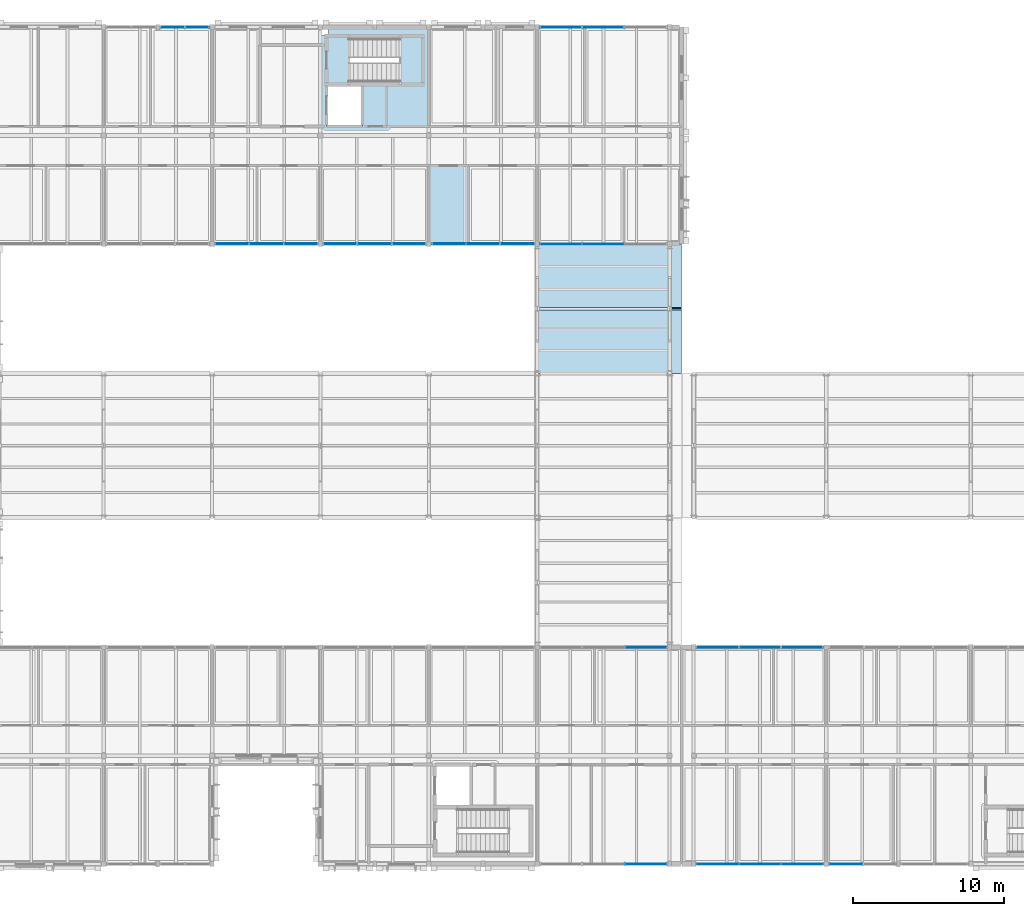
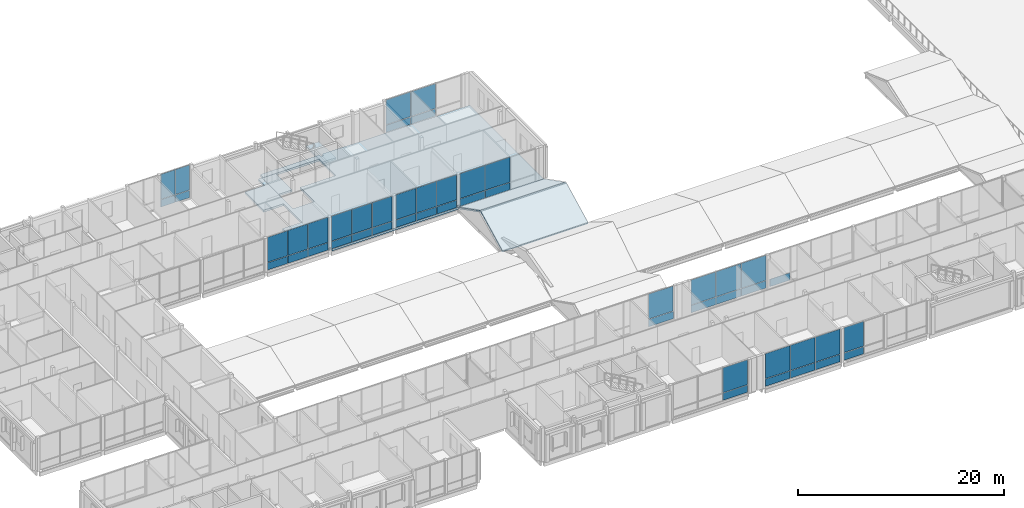
# One storey, part 69 of 115: 49 plates, 5 slabs, 13 elements without a shape of their own.
"""IFC4 building model written with IfcOpenShell, lengths in metres."""

import ifcopenshell
import ifcopenshell.guid

model = None  # the IFC model being written
_history = None  # IfcOwnerHistory: only IFC2X3 demands one
_inside = {}  # id of a spatial element -> (the spatial element, [elements in it])
_under = {}  # id of a project, library or spatial element -> (it, [spatial elements below it])
_declared = {}  # id of a project -> (the project, [libraries it declares])
_typed = {}  # id of a type object -> (the type object, [elements of that type])
_made_of = {}  # id of a material, layer set ... -> (it, [elements and type objects made of it])


def new_model(schema):
    """Start an empty IFC model of exactly this schema.

    Asked for "IFC4X3", IfcOpenShell would pick the latest addendum, in which some entities
    have other attributes; the version numbers below select the first issue.
    IFC2X3 requires an IfcOwnerHistory on every rooted entity: one is made here for all.
    """
    global model, _history
    if schema == "IFC4X3":
        model = ifcopenshell.file(schema_version=(4, 3, 0, 0))
    else:
        model = ifcopenshell.file(schema=schema)
    _inside.clear()
    _under.clear()
    _declared.clear()
    _typed.clear()
    _made_of.clear()
    _history = None
    if model.schema == "IFC2X3":
        org = make("IfcOrganization", Name="unknown")
        user = make(
            "IfcPersonAndOrganization",
            ThePerson=make("IfcPerson", FamilyName="unknown"),
            TheOrganization=org,
        )
        app = make(
            "IfcApplication",
            ApplicationDeveloper=org,
            Version="unknown",
            ApplicationFullName="unknown",
            ApplicationIdentifier="unknown",
        )
        _history = make(
            "IfcOwnerHistory",
            OwningUser=user,
            OwningApplication=app,
            ChangeAction="ADDED",
            CreationDate=0,
        )
    return model


def make(cls, **values):
    """One entity of the class cls with the attributes given. An attribute that is None is left unset."""
    return model.create_entity(
        cls, **{name: value for name, value in values.items() if value is not None}
    )


def rooted(cls, **values):
    """An entity with a GlobalId (a new one), such as an element, a storey or a relation."""
    return make(cls, GlobalId=ifcopenshell.guid.new(), OwnerHistory=_history, **values)


def si_unit(unit_type, name, prefix=None):
    """IfcSIUnit, for example si_unit("LENGTHUNIT", "METRE", prefix="MILLI")."""
    return make("IfcSIUnit", UnitType=unit_type, Prefix=prefix, Name=name)


def assignment(units):
    """IfcUnitAssignment: the units of a project."""
    return None if units is None else make("IfcUnitAssignment", Units=units)


def point(xyz):
    """IfcCartesianPoint."""
    return None if xyz is None else make("IfcCartesianPoint", Coordinates=xyz)


def direction(xyz):
    """IfcDirection."""
    return None if xyz is None else make("IfcDirection", DirectionRatios=xyz)


def frame(location, z_axis=None, x_axis=None):
    """IfcAxis2Placement3D, a coordinate frame: its origin and axes. An axis left out is left unset."""
    return make(
        "IfcAxis2Placement3D",
        Location=point(location),
        Axis=direction(z_axis),
        RefDirection=direction(x_axis),
    )


def frame_2d(location, x_axis=None):
    """IfcAxis2Placement2D, a coordinate frame in the plane: its origin and x axis."""
    return make(
        "IfcAxis2Placement2D", Location=point(location), RefDirection=direction(x_axis)
    )


def origin():
    """The frame at (0, 0, 0) with its axes left unset."""
    return frame((0.0, 0.0, 0.0))


def origin_2d():
    """The frame at (0, 0) in the plane with its x axis left unset."""
    return frame_2d((0.0, 0.0))


def place(relative_to, where):
    """IfcLocalPlacement: puts the frame where relative to a parent placement (None: the world)."""
    return make(
        "IfcLocalPlacement", PlacementRelTo=relative_to, RelativePlacement=where
    )


def context(
    kind, dimensions, precision=None, world=None, true_north=None, identifier=None
):
    """IfcGeometricRepresentationContext, for example the 3D "Model" context."""
    return make(
        "IfcGeometricRepresentationContext",
        ContextIdentifier=identifier,
        ContextType=kind,
        CoordinateSpaceDimension=dimensions,
        Precision=precision,
        WorldCoordinateSystem=world,
        TrueNorth=true_north,
    )


def subcontext(parent, identifier, kind, view, scale=None):
    """IfcGeometricRepresentationSubContext, for example "Body" below "Model"."""
    return make(
        "IfcGeometricRepresentationSubContext",
        ContextIdentifier=identifier,
        ContextType=kind,
        ParentContext=parent,
        TargetScale=scale,
        TargetView=view,
    )


def project(units=None, contexts=None):
    """IfcProject with its units and contexts."""
    return rooted(
        "IfcProject",
        Name="project",
        RepresentationContexts=contexts,
        UnitsInContext=assignment(units),
    )


def spatial(cls, under=None, at=None, **own):
    """A site, building, storey or space (cls), placed at a placement, below another one or the project."""
    s = rooted(cls, ObjectPlacement=at, **own)
    if under is not None:
        _under.setdefault(under.id(), (under, []))[1].append(s)
    return s


def polyline(points):
    """IfcPolyline through the points."""
    return make("IfcPolyline", Points=[point(p) for p in points])


def profile(cls, at=None, kind="AREA", **sizes):
    """A parametric profile (cls). Its sizes go by their IFC names, for example OverallWidth=200.0."""
    return make(cls, ProfileType=kind, Position=at, **sizes)


def rectangle(**sizes):
    """IfcRectangleProfileDef."""
    return profile("IfcRectangleProfileDef", **sizes)


def outline(outer, holes=None, kind="AREA"):
    """IfcArbitraryClosedProfileDef: a profile drawn as a closed curve; with holes, ...WithVoids."""
    if holes is None:
        return make("IfcArbitraryClosedProfileDef", ProfileType=kind, OuterCurve=outer)
    return make(
        "IfcArbitraryProfileDefWithVoids",
        ProfileType=kind,
        OuterCurve=outer,
        InnerCurves=holes,
    )


def extrude(swept, where, along, depth):
    """IfcExtrudedAreaSolid: the profile swept, set in the frame where, extruded along a direction by depth."""
    return make(
        "IfcExtrudedAreaSolid",
        SweptArea=swept,
        Position=where,
        ExtrudedDirection=direction(along),
        Depth=depth,
    )


def shape(context_of_items, identifier, shape_type, items):
    """IfcShapeRepresentation: the items that make up one representation, for example the "Body"."""
    return make(
        "IfcShapeRepresentation",
        ContextOfItems=context_of_items,
        RepresentationIdentifier=identifier,
        RepresentationType=shape_type,
        Items=items,
    )


def material(Name=None, Category=None):
    """IfcMaterial."""
    return make("IfcMaterial", Name=Name, Category=Category)


def layer(
    of_material, thickness, ventilated=None, Name=None, Category=None, Priority=None
):
    """IfcMaterialLayer: one layer of a wall or slab, of a material (None: an air gap)."""
    return make(
        "IfcMaterialLayer",
        Material=of_material,
        LayerThickness=thickness,
        IsVentilated=ventilated,
        Name=Name,
        Category=Category,
        Priority=Priority,
    )


def layer_set(layers, Name=None):
    """IfcMaterialLayerSet."""
    return make("IfcMaterialLayerSet", MaterialLayers=layers, LayerSetName=Name)


def made_of(thing, what):
    """Note that an element or type object is made of a material, layer set ...; save() writes the relation."""
    if what is not None:
        _made_of.setdefault(what.id(), (what, []))[1].append(thing)
    return thing


def type_object(cls, material=None, **own):
    """A type object (cls), such as IfcWallType, which elements share."""
    return made_of(rooted(cls, **own), material)


def element(
    cls,
    number,
    at=None,
    inside=None,
    cuts=None,
    type_object=None,
    material=None,
    context=None,
    identifier="Body",
    shape_type=None,
    held_by="IfcProductDefinitionShape",
    body=None,
    shapes=None,
    **own,
):
    """One element of the class cls, such as IfcWall. Its Tag is "e" and its number.

    at: its placement. inside: the storey or other place that contains it. cuts: it is an
    opening in that element (IfcRelVoidsElement). A single representation is given by context,
    identifier, shape_type and body (its items); several are given by shapes. held_by: the class
    of the entity that holds the representations. save() writes the other relations.
    """
    e = rooted(cls, Tag="e%d" % number, ObjectPlacement=at, **own)
    if body is not None:
        shapes = [shape(context, identifier, shape_type, body)]
    if shapes is not None:
        e.Representation = make(held_by, Representations=shapes)
    if inside is not None:
        _inside.setdefault(inside.id(), (inside, []))[1].append(e)
    if cuts is not None:
        rooted(
            "IfcRelVoidsElement", RelatingBuildingElement=cuts, RelatedOpeningElement=e
        )
    if type_object is not None:
        _typed.setdefault(type_object.id(), (type_object, []))[1].append(e)
    return made_of(e, material)


def aggregate(whole, parts):
    """IfcRelAggregates: a whole, such as a stair, and the parts it consists of."""
    return rooted("IfcRelAggregates", RelatingObject=whole, RelatedObjects=parts)


def save(model, path):
    """Write the relations noted so far, then the file.

    IfcRelAggregates (storeys below a building ...), IfcRelContainedInSpatialStructure (elements
    in a storey), IfcRelDefinesByType, IfcRelAssociatesMaterial and IfcRelDeclares: one each for
    every whole, place, type object, material and project.
    """
    for whole, parts in _under.values():
        aggregate(whole, parts)
    for where, things in _inside.values():
        rooted(
            "IfcRelContainedInSpatialStructure",
            RelatedElements=things,
            RelatingStructure=where,
        )
    for kind, things in _typed.values():
        rooted("IfcRelDefinesByType", RelatedObjects=things, RelatingType=kind)
    for what, things in _made_of.values():
        rooted("IfcRelAssociatesMaterial", RelatedObjects=things, RelatingMaterial=what)
    for by, libraries in _declared.values():
        rooted("IfcRelDeclares", RelatingContext=by, RelatedDefinitions=libraries)
    model.write(path)


model = new_model("IFC4")

# Units and contexts
model_context = context("Model", 3, precision=1e-05, world=origin(), true_north=direction((0.0, 1.0)))
body_context = subcontext(model_context, "Body", "Model", "MODEL_VIEW")
ifc_project = project(units=[si_unit("LENGTHUNIT", "METRE"), si_unit("AREAUNIT", "SQUARE_METRE"), si_unit("VOLUMEUNIT", "CUBIC_METRE"), si_unit("PLANEANGLEUNIT", "RADIAN"), si_unit("MASSUNIT", "GRAM", prefix="KILO")], contexts=[model_context])

# Site, building, storey
site_placement = place(None, origin())
site = spatial("IfcSite", under=ifc_project, at=site_placement, CompositionType="ELEMENT")
building_placement = place(site_placement, origin())
building = spatial("IfcBuilding", under=site, at=building_placement, Name="Hawrajan Terrace Health Centre", CompositionType="ELEMENT")
storey_placement = place(building_placement, frame((0.0, 0.0, 9.0)))
storey = spatial("IfcBuildingStorey", under=building, at=storey_placement, Name="L02", CompositionType="ELEMENT", Elevation=9.0)

# Curtain wall, plates
ifc_material_1 = material(Name="Anodized bronze aluminium and low-E solar glazing", Category="aluminium")
curtain_wall_type_1 = type_object("IfcCurtainWallType", Name="CW_Hall_SeriesD2", PredefinedType="USERDEFINED", material=ifc_material_1)
curtain_wall_1_placement = place(storey_placement, origin())
curtain_wall_1 = element("IfcCurtainWall", 1, at=curtain_wall_1_placement, inside=storey, type_object=curtain_wall_type_1, Name="Curtain wall CW-L02-131", ObjectType="UNITISED CURTAIN WALL", PredefinedType="USERDEFINED")
ifc_material_2 = material(Name="Diffused north-light insulated glazing", Category="glass")
ifc_layer_1 = layer(ifc_material_2, 0.031982421875)
ifc_layer_set_1 = layer_set([ifc_layer_1], Name="Diffused north-light insulated glazing")
plate_type_1 = type_object("IfcPlateType", Name="ClerestoryGlassPanel_32", PredefinedType="CURTAIN_PANEL", material=ifc_layer_set_1)
plate_1_placement = place(storey_placement, frame((49.114990234375, 45.39990234375, 0.9814453125), z_axis=(0.0, 0.0, 1.0), x_axis=(1.0, 0.0, 0.0)))
plate_1 = element("IfcPlate", 2, at=plate_1_placement, type_object=plate_type_1, Name="Curtain panel CW-L02-131-P1-2", PredefinedType="CURTAIN_PANEL", context=body_context, shape_type="SweptSolid", body=[
    extrude(rectangle(XDim=2.2119140625, YDim=0.031982421875, at=origin_2d()), origin(), (0.0, 0.0, 1.0), 2.939453125),
])
plate_2_placement = place(storey_placement, frame((51.389892578125, 45.39990234375, 0.9814453125), z_axis=(0.0, 0.0, 1.0), x_axis=(1.0, 0.0, 0.0)))
plate_2 = element("IfcPlate", 3, at=plate_2_placement, type_object=plate_type_1, Name="Curtain panel CW-L02-131-P2-2", PredefinedType="CURTAIN_PANEL", context=body_context, shape_type="SweptSolid", body=[
    extrude(rectangle(XDim=2.2119140625, YDim=0.031982421875, at=origin_2d()), origin(), (0.0, 0.0, 1.0), 2.939453125),
])
plate_3_placement = place(storey_placement, frame((53.6650390625, 45.39990234375, 0.9814453125), z_axis=(0.0, 0.0, 1.0), x_axis=(1.0, 0.0, 0.0)))
plate_3 = element("IfcPlate", 4, at=plate_3_placement, type_object=plate_type_1, Name="Curtain panel CW-L02-131-P3-2", PredefinedType="CURTAIN_PANEL", context=body_context, shape_type="SweptSolid", body=[
    extrude(rectangle(XDim=2.2119140625, YDim=0.031982421875, at=origin_2d()), origin(), (0.0, 0.0, 1.0), 2.939453125),
])

# Curtain wall, plate
curtain_wall_type_2 = type_object("IfcCurtainWallType", Name="CW_Garden_SeriesF1", PredefinedType="USERDEFINED", material=ifc_material_1)
curtain_wall_2_placement = place(storey_placement, origin())
curtain_wall_2 = element("IfcCurtainWall", 5, at=curtain_wall_2_placement, inside=storey, type_object=curtain_wall_type_2, Name="Curtain wall CW-L02-134", ObjectType="UNITISED CURTAIN WALL", PredefinedType="USERDEFINED")
plate_4_placement = place(storey_placement, frame((69.418212890625, 4.199951171875, 0.9814453125), z_axis=(0.0, 0.0, 1.0), x_axis=(1.0, 0.0, 0.0)))
plate_4 = element("IfcPlate", 6, at=plate_4_placement, type_object=plate_type_1, Name="Curtain panel CW-L02-134-P3-2", PredefinedType="CURTAIN_PANEL", context=body_context, shape_type="SweptSolid", body=[
    extrude(rectangle(XDim=2.745361328125, YDim=0.031982421875, at=origin_2d()), origin(), (0.0, 0.0, 1.0), 2.939453125),
])

# Curtain wall, plates
curtain_wall_type_3 = type_object("IfcCurtainWallType", Name="CW_Clerestory_SeriesG2", PredefinedType="USERDEFINED", material=ifc_material_1)
curtain_wall_3_placement = place(storey_placement, origin())
curtain_wall_3 = element("IfcCurtainWall", 7, at=curtain_wall_3_placement, inside=storey, type_object=curtain_wall_type_3, Name="Curtain wall CW-L02-137", ObjectType="UNITISED CURTAIN WALL", PredefinedType="USERDEFINED")
plate_5_placement = place(storey_placement, frame((63.78173828125, 59.800048828125, 0.9814453125), z_axis=(0.0, 0.0, 1.0), x_axis=(1.0, 0.0, 0.0)))
plate_5 = element("IfcPlate", 8, at=plate_5_placement, type_object=plate_type_1, Name="Curtain panel CW-L02-137-P1-2", PredefinedType="CURTAIN_PANEL", context=body_context, shape_type="SweptSolid", body=[
    extrude(rectangle(XDim=2.745361328125, YDim=0.031982421875, at=origin_2d()), origin(), (0.0, 0.0, 1.0), 2.929443359375),
])
plate_6_placement = place(storey_placement, frame((66.590087890625, 59.800048828125, 0.9814453125), z_axis=(0.0, 0.0, 1.0), x_axis=(1.0, 0.0, 0.0)))
plate_6 = element("IfcPlate", 9, at=plate_6_placement, type_object=plate_type_1, Name="Curtain panel CW-L02-137-P2-2", PredefinedType="CURTAIN_PANEL", context=body_context, shape_type="SweptSolid", body=[
    extrude(rectangle(XDim=2.745361328125, YDim=0.031982421875, at=origin_2d()), origin(), (0.0, 0.0, 1.0), 2.929443359375),
])

# Curtain wall, plate
curtain_wall_type_4 = type_object("IfcCurtainWallType", Name="CW_Bridge_SeriesJ1", PredefinedType="USERDEFINED", material=ifc_material_1)
curtain_wall_4_placement = place(storey_placement, origin())
curtain_wall_4 = element("IfcCurtainWall", 10, at=curtain_wall_4_placement, inside=storey, type_object=curtain_wall_type_4, Name="Curtain wall CW-L02-140", ObjectType="UNITISED CURTAIN WALL", PredefinedType="USERDEFINED")
plate_7_placement = place(storey_placement, frame((82.708740234375, 4.199951171875, 0.9814453125), z_axis=(0.0, 0.0, 1.0), x_axis=(1.0, 0.0, 0.0)))
plate_7 = element("IfcPlate", 11, at=plate_7_placement, type_object=plate_type_1, Name="Curtain panel CW-L02-140-P1-2", PredefinedType="CURTAIN_PANEL", context=body_context, shape_type="SweptSolid", body=[
    extrude(rectangle(XDim=2.159423828125, YDim=0.031982421875, at=origin_2d()), origin(), (0.0, 0.0, 1.0), 2.939453125),
])

# Slabs
ifc_material_3 = material(Name="Cross-laminated timber CLT C24", Category="wood")
ifc_layer_2 = layer(ifc_material_3, 0.239990234375)
ifc_layer_set_2 = layer_set([ifc_layer_2], Name="Cross-laminated timber CLT C24")
slab_type_1 = type_object("IfcSlabType", Name="FloorSlab_CLT240", PredefinedType="FLOOR", material=ifc_layer_set_2)
slab_1_placement = place(storey_placement, frame((0.0, 0.0, -0.239990234375)))
element("IfcSlab", 12, at=slab_1_placement, inside=storey, type_object=slab_type_1, Name="Structural slab SL-L02-W-V2-Z2-1", PredefinedType="FLOOR", context=body_context, shape_type="SweptSolid", body=[
    extrude(outline(polyline([(48.35009765625, 59.25), (48.35009765625, 59.800048828125), (55.0, 59.800048828125), (55.0, 59.52001953125), (55.280029296875, 59.52001953125), (55.280029296875, 59.800048828125), (62.199951171875, 59.800048828125), (71.794921875, 59.800048828125), (71.794921875, 52.60009765625), (71.794921875, 45.39990234375), (62.47998046875, 45.39990234375), (62.47998046875, 45.679931640625), (62.199951171875, 45.679931640625), (62.199951171875, 45.39990234375), (55.0, 45.39990234375), (48.080078125, 45.39990234375), (48.080078125, 45.679931640625), (47.802001953125, 45.679931640625), (47.802001953125, 47.201904296875), (45.60205078125, 47.201904296875), (45.60205078125, 50.798095703125), (47.802001953125, 50.798095703125), (47.802001953125, 54.402099609375), (45.60205078125, 54.402099609375), (45.60205078125, 57.998046875), (47.802001953125, 57.998046875), (47.802001953125, 59.25), (48.35009765625, 59.25)]), holes=[polyline([(48.199951171875, 56.0), (48.199951171875, 53.199951171875), (50.60009765625, 53.199951171875), (50.60009765625, 56.0), (54.60009765625, 56.0), (54.60009765625, 59.199951171875), (48.199951171875, 59.199951171875), (48.199951171875, 56.0)])]), origin(), (0.0, 0.0, 1.0), 0.239990234375),
])
ifc_layer_3 = layer(ifc_material_3, 0.179931640625)
ifc_layer_set_3 = layer_set([ifc_layer_3], Name="Cross-laminated timber CLT C24")
slab_type_2 = type_object("IfcSlabType", Name="RoofSlab_Tent180", PredefinedType="ROOF", material=ifc_layer_set_3)
for number, where, z_axis, x_axis, name in (
    (13, (62.199951171875, 36.800048828125, 0.0), (0.0, -0.45549668815, 0.890237477915), (1.0, 0.0, 0.0), "Pitched tent roof slab RF-V1-09-TRL-NC-S"),
    (14, (62.199951171875, 41.179931640625, 2.1591796875), (0.0, 0.45549668815, 0.890237477915), (1.0, 0.0, 0.0), "Pitched tent roof slab RF-V1-09-TRL-NC-N"),
):
    element("IfcSlab", number, at=place(storey_placement, frame(where, z_axis=z_axis, x_axis=x_axis)), inside=storey, type_object=slab_type_2, Name=name, PredefinedType="ROOF", context=body_context, shape_type="SweptSolid", body=[
        extrude(outline(polyline([(0.0, 0.0), (9.594970703125, 0.0), (9.594970703125, 4.740275272402005), (0.0, 4.740275272402005), (0.0, 0.0)])), origin(), (0.0, 0.0, -1.0), 0.179931640625),
    ])

# Plate
ifc_material_4 = material(Name="Insulated anodized bronze spandrel panel")
ifc_layer_4 = layer(ifc_material_4, 0.048095703125)
ifc_layer_set_4 = layer_set([ifc_layer_4], Name="Insulated anodized bronze spandrel panel")
plate_type_2 = type_object("IfcPlateType", Name="SpandrelPanel_Bronze48", PredefinedType="CURTAIN_PANEL", material=ifc_layer_set_4)
plate_8_placement = place(storey_placement, frame((69.418212890625, 4.199951171875, 0.06884765625), z_axis=(0.0, 0.0, 1.0), x_axis=(1.0, 0.0, 0.0)))
plate_8 = element("IfcPlate", 15, at=plate_8_placement, type_object=plate_type_2, Name="Curtain panel CW-L02-134-P3-1", PredefinedType="CURTAIN_PANEL", context=body_context, shape_type="SweptSolid", body=[
    extrude(rectangle(XDim=2.745361328125, YDim=0.048095703125, at=origin_2d()), origin(), (0.0, 0.0, 1.0), 0.849609375),
])

aggregate(curtain_wall_2, [plate_8, plate_4])

# Curtain wall, plates
curtain_wall_type_5 = type_object("IfcCurtainWallType", Name="CW_Clerestory_SeriesG1", PredefinedType="USERDEFINED", material=ifc_material_1)
curtain_wall_5_placement = place(storey_placement, origin())
curtain_wall_5 = element("IfcCurtainWall", 16, at=curtain_wall_5_placement, inside=storey, type_object=curtain_wall_type_5, Name="Curtain wall CW-L02-136", ObjectType="UNITISED CURTAIN WALL", PredefinedType="USERDEFINED")
plate_9_placement = place(storey_placement, frame((63.7783203125, 45.39990234375, 0.05908203125), z_axis=(0.0, 0.0, 1.0), x_axis=(1.0, 0.0, 0.0)))
plate_9 = element("IfcPlate", 17, at=plate_9_placement, type_object=plate_type_2, Name="Curtain panel CW-L02-136-P1-1", PredefinedType="CURTAIN_PANEL", context=body_context, shape_type="SweptSolid", body=[
    extrude(rectangle(XDim=2.7587890625, YDim=0.048095703125, at=origin_2d()), origin(), (0.0, 0.0, 1.0), 0.864501953125),
])
plate_10_placement = place(storey_placement, frame((66.590087890625, 45.39990234375, 0.05908203125), z_axis=(0.0, 0.0, 1.0), x_axis=(1.0, 0.0, 0.0)))
plate_10 = element("IfcPlate", 18, at=plate_10_placement, type_object=plate_type_2, Name="Curtain panel CW-L02-136-P2-1", PredefinedType="CURTAIN_PANEL", context=body_context, shape_type="SweptSolid", body=[
    extrude(rectangle(XDim=2.7587890625, YDim=0.048095703125, at=origin_2d()), origin(), (0.0, 0.0, 1.0), 0.864501953125),
])

curtain_wall_type_6 = type_object("IfcCurtainWallType", Name="CW_Clerestory_SeriesG3", PredefinedType="USERDEFINED", material=ifc_material_1)
curtain_wall_6_placement = place(storey_placement, origin())
curtain_wall_6 = element("IfcCurtainWall", 19, at=curtain_wall_6_placement, inside=storey, type_object=curtain_wall_type_6, Name="Curtain wall CW-L02-138", ObjectType="UNITISED CURTAIN WALL", PredefinedType="USERDEFINED")
plate_11_placement = place(storey_placement, frame((74.17822265625, 4.199951171875, 0.05908203125), z_axis=(0.0, 0.0, 1.0), x_axis=(1.0, 0.0, 0.0)))
plate_11 = element("IfcPlate", 20, at=plate_11_placement, type_object=plate_type_2, Name="Curtain panel CW-L02-138-P1-1", PredefinedType="CURTAIN_PANEL", context=body_context, shape_type="SweptSolid", body=[
    extrude(rectangle(XDim=2.7587890625, YDim=0.048095703125, at=origin_2d()), origin(), (0.0, 0.0, 1.0), 0.864501953125),
])
plate_12_placement = place(storey_placement, frame((76.989990234375, 4.199951171875, 0.05908203125), z_axis=(0.0, 0.0, 1.0), x_axis=(1.0, 0.0, 0.0)))
plate_12 = element("IfcPlate", 21, at=plate_12_placement, type_object=plate_type_2, Name="Curtain panel CW-L02-138-P2-1", PredefinedType="CURTAIN_PANEL", context=body_context, shape_type="SweptSolid", body=[
    extrude(rectangle(XDim=2.7587890625, YDim=0.048095703125, at=origin_2d()), origin(), (0.0, 0.0, 1.0), 0.864501953125),
])
plate_13_placement = place(storey_placement, frame((79.8017578125, 4.199951171875, 0.05908203125), z_axis=(0.0, 0.0, 1.0), x_axis=(1.0, 0.0, 0.0)))
plate_13 = element("IfcPlate", 22, at=plate_13_placement, type_object=plate_type_2, Name="Curtain panel CW-L02-138-P3-1", PredefinedType="CURTAIN_PANEL", context=body_context, shape_type="SweptSolid", body=[
    extrude(rectangle(XDim=2.7587890625, YDim=0.048095703125, at=origin_2d()), origin(), (0.0, 0.0, 1.0), 0.864501953125),
])

# Plate
plate_14_placement = place(storey_placement, frame((82.708740234375, 4.199951171875, 0.06884765625), z_axis=(0.0, 0.0, 1.0), x_axis=(1.0, 0.0, 0.0)))
plate_14 = element("IfcPlate", 23, at=plate_14_placement, type_object=plate_type_2, Name="Curtain panel CW-L02-140-P1-1", PredefinedType="CURTAIN_PANEL", context=body_context, shape_type="SweptSolid", body=[
    extrude(rectangle(XDim=2.159423828125, YDim=0.048095703125, at=origin_2d()), origin(), (0.0, 0.0, 1.0), 0.849609375),
])

aggregate(curtain_wall_4, [plate_14, plate_7])

# Curtain wall, plate
curtain_wall_type_7 = type_object("IfcCurtainWallType", Name="CW_Setback_SeriesL1", PredefinedType="USERDEFINED", material=ifc_material_1)
curtain_wall_7_placement = place(storey_placement, origin())
curtain_wall_7 = element("IfcCurtainWall", 24, at=curtain_wall_7_placement, inside=storey, type_object=curtain_wall_type_7, Name="Curtain wall CW-L02-142", ObjectType="UNITISED CURTAIN WALL", PredefinedType="USERDEFINED")
plate_15_placement = place(storey_placement, frame((82.746826171875, 18.60009765625, 0.05908203125), z_axis=(0.0, 0.0, 1.0), x_axis=(1.0, 0.0, 0.0)))
plate_15 = element("IfcPlate", 25, at=plate_15_placement, type_object=plate_type_2, Name="Curtain panel CW-L02-142-P1-1", PredefinedType="CURTAIN_PANEL", context=body_context, shape_type="SweptSolid", body=[
    extrude(rectangle(XDim=2.255615234375, YDim=0.048095703125, at=origin_2d()), origin(), (0.0, 0.0, 1.0), 0.864501953125),
])
aggregate(curtain_wall_7, [plate_15])

# Curtain wall, plates
curtain_wall_type_8 = type_object("IfcCurtainWallType", Name="CW_CourtNS_SeriesC1", PredefinedType="USERDEFINED", material=ifc_material_1)
curtain_wall_8_placement = place(storey_placement, origin())
curtain_wall_8 = element("IfcCurtainWall", 26, at=curtain_wall_8_placement, inside=storey, type_object=curtain_wall_type_8, Name="Curtain wall CW-L02-127", ObjectType="UNITISED CURTAIN WALL", PredefinedType="USERDEFINED")
ifc_material_5 = material(Name="Insulated reconstituted coral-stone spandrel", Category="masonry")
ifc_layer_5 = layer(ifc_material_5, 0.055908203125)
ifc_layer_set_5 = layer_set([ifc_layer_5], Name="Insulated reconstituted coral-stone spandrel")
plate_type_3 = type_object("IfcPlateType", Name="SpandrelPanel_Coral56", PredefinedType="CURTAIN_PANEL", material=ifc_layer_set_5)
plate_16_placement = place(storey_placement, frame((37.96630859375, 59.800048828125, 0.05908203125), z_axis=(0.0, 0.0, 1.0), x_axis=(1.0, 0.0, 0.0)))
plate_16 = element("IfcPlate", 27, at=plate_16_placement, type_object=plate_type_3, Name="Curtain panel CW-L02-127-P1-1", PredefinedType="CURTAIN_PANEL", context=body_context, shape_type="SweptSolid", body=[
    extrude(rectangle(XDim=1.574462890625, YDim=0.055908203125, at=origin_2d()), origin(), (0.0, 0.0, 1.0), 0.864501953125),
])
plate_17_placement = place(storey_placement, frame((39.59375, 59.800048828125, 0.05908203125), z_axis=(0.0, 0.0, 1.0), x_axis=(1.0, 0.0, 0.0)))
plate_17 = element("IfcPlate", 28, at=plate_17_placement, type_object=plate_type_3, Name="Curtain panel CW-L02-127-P2-1", PredefinedType="CURTAIN_PANEL", context=body_context, shape_type="SweptSolid", body=[
    extrude(rectangle(XDim=1.574462890625, YDim=0.055908203125, at=origin_2d()), origin(), (0.0, 0.0, 1.0), 0.864501953125),
])

curtain_wall_type_9 = type_object("IfcCurtainWallType", Name="CW_CourtNS_SeriesC3", PredefinedType="USERDEFINED", material=ifc_material_1)
curtain_wall_9_placement = place(storey_placement, origin())
curtain_wall_9 = element("IfcCurtainWall", 29, at=curtain_wall_9_placement, inside=storey, type_object=curtain_wall_type_9, Name="Curtain wall CW-L02-129", ObjectType="UNITISED CURTAIN WALL", PredefinedType="USERDEFINED")
plate_18_placement = place(storey_placement, frame((41.931640625, 45.39990234375, 0.05908203125), z_axis=(0.0, 0.0, 1.0), x_axis=(1.0, 0.0, 0.0)))
plate_18 = element("IfcPlate", 30, at=plate_18_placement, type_object=plate_type_3, Name="Curtain panel CW-L02-129-P1-1", PredefinedType="CURTAIN_PANEL", context=body_context, shape_type="SweptSolid", body=[
    extrude(rectangle(XDim=2.225341796875, YDim=0.055908203125, at=origin_2d()), origin(), (0.0, 0.0, 1.0), 0.864501953125),
])
plate_19_placement = place(storey_placement, frame((44.2099609375, 45.39990234375, 0.05908203125), z_axis=(0.0, 0.0, 1.0), x_axis=(1.0, 0.0, 0.0)))
plate_19 = element("IfcPlate", 31, at=plate_19_placement, type_object=plate_type_3, Name="Curtain panel CW-L02-129-P2-1", PredefinedType="CURTAIN_PANEL", context=body_context, shape_type="SweptSolid", body=[
    extrude(rectangle(XDim=2.225341796875, YDim=0.055908203125, at=origin_2d()), origin(), (0.0, 0.0, 1.0), 0.864501953125),
])
plate_20_placement = place(storey_placement, frame((46.48828125, 45.39990234375, 0.05908203125), z_axis=(0.0, 0.0, 1.0), x_axis=(1.0, 0.0, 0.0)))
plate_20 = element("IfcPlate", 32, at=plate_20_placement, type_object=plate_type_3, Name="Curtain panel CW-L02-129-P3-1", PredefinedType="CURTAIN_PANEL", context=body_context, shape_type="SweptSolid", body=[
    extrude(rectangle(XDim=2.225341796875, YDim=0.055908203125, at=origin_2d()), origin(), (0.0, 0.0, 1.0), 0.864501953125),
])

# Plate
plate_21_placement = place(storey_placement, frame((49.114990234375, 45.39990234375, 0.06884765625), z_axis=(0.0, 0.0, 1.0), x_axis=(1.0, 0.0, 0.0)))
plate_21 = element("IfcPlate", 33, at=plate_21_placement, type_object=plate_type_3, Name="Curtain panel CW-L02-131-P1-1", PredefinedType="CURTAIN_PANEL", context=body_context, shape_type="SweptSolid", body=[
    extrude(rectangle(XDim=2.2119140625, YDim=0.055908203125, at=origin_2d()), origin(), (0.0, 0.0, 1.0), 0.849609375),
])

plate_22_placement = place(storey_placement, frame((51.389892578125, 45.39990234375, 0.06884765625), z_axis=(0.0, 0.0, 1.0), x_axis=(1.0, 0.0, 0.0)))
plate_22 = element("IfcPlate", 34, at=plate_22_placement, type_object=plate_type_3, Name="Curtain panel CW-L02-131-P2-1", PredefinedType="CURTAIN_PANEL", context=body_context, shape_type="SweptSolid", body=[
    extrude(rectangle(XDim=2.2119140625, YDim=0.055908203125, at=origin_2d()), origin(), (0.0, 0.0, 1.0), 0.849609375),
])

plate_23_placement = place(storey_placement, frame((53.6650390625, 45.39990234375, 0.06884765625), z_axis=(0.0, 0.0, 1.0), x_axis=(1.0, 0.0, 0.0)))
plate_23 = element("IfcPlate", 35, at=plate_23_placement, type_object=plate_type_3, Name="Curtain panel CW-L02-131-P3-1", PredefinedType="CURTAIN_PANEL", context=body_context, shape_type="SweptSolid", body=[
    extrude(rectangle(XDim=2.2119140625, YDim=0.055908203125, at=origin_2d()), origin(), (0.0, 0.0, 1.0), 0.849609375),
])

aggregate(curtain_wall_1, [plate_21, plate_1, plate_22, plate_2, plate_23, plate_3])

# Curtain wall, plates
curtain_wall_type_10 = type_object("IfcCurtainWallType", Name="CW_Pavilion_SeriesE2", PredefinedType="USERDEFINED", material=ifc_material_1)
curtain_wall_10_placement = place(storey_placement, origin())
curtain_wall_10 = element("IfcCurtainWall", 36, at=curtain_wall_10_placement, inside=storey, type_object=curtain_wall_type_10, Name="Curtain wall CW-L02-133", ObjectType="UNITISED CURTAIN WALL", PredefinedType="USERDEFINED")
plate_24_placement = place(storey_placement, frame((56.331787109375, 45.39990234375, 0.05908203125), z_axis=(0.0, 0.0, 1.0), x_axis=(1.0, 0.0, 0.0)))
plate_24 = element("IfcPlate", 37, at=plate_24_placement, type_object=plate_type_3, Name="Curtain panel CW-L02-133-P1-1", PredefinedType="CURTAIN_PANEL", context=body_context, shape_type="SweptSolid", body=[
    extrude(rectangle(XDim=2.225341796875, YDim=0.055908203125, at=origin_2d()), origin(), (0.0, 0.0, 1.0), 0.864501953125),
])
plate_25_placement = place(storey_placement, frame((58.610107421875, 45.39990234375, 0.05908203125), z_axis=(0.0, 0.0, 1.0), x_axis=(1.0, 0.0, 0.0)))
plate_25 = element("IfcPlate", 38, at=plate_25_placement, type_object=plate_type_3, Name="Curtain panel CW-L02-133-P2-1", PredefinedType="CURTAIN_PANEL", context=body_context, shape_type="SweptSolid", body=[
    extrude(rectangle(XDim=2.225341796875, YDim=0.055908203125, at=origin_2d()), origin(), (0.0, 0.0, 1.0), 0.864501953125),
])
plate_26_placement = place(storey_placement, frame((60.88818359375, 45.39990234375, 0.05908203125), z_axis=(0.0, 0.0, 1.0), x_axis=(1.0, 0.0, 0.0)))
plate_26 = element("IfcPlate", 39, at=plate_26_placement, type_object=plate_type_3, Name="Curtain panel CW-L02-133-P3-1", PredefinedType="CURTAIN_PANEL", context=body_context, shape_type="SweptSolid", body=[
    extrude(rectangle(XDim=2.225341796875, YDim=0.055908203125, at=origin_2d()), origin(), (0.0, 0.0, 1.0), 0.864501953125),
])

# Curtain wall, plate
curtain_wall_type_11 = type_object("IfcCurtainWallType", Name="CW_Garden_SeriesF2", PredefinedType="USERDEFINED", material=ifc_material_1)
curtain_wall_11_placement = place(storey_placement, origin())
curtain_wall_11 = element("IfcCurtainWall", 40, at=curtain_wall_11_placement, inside=storey, type_object=curtain_wall_type_11, Name="Curtain wall CW-L02-135", ObjectType="UNITISED CURTAIN WALL", PredefinedType="USERDEFINED")
plate_27_placement = place(storey_placement, frame((69.421630859375, 18.60009765625, 0.05908203125), z_axis=(0.0, 0.0, 1.0), x_axis=(1.0, 0.0, 0.0)))
plate_27 = element("IfcPlate", 41, at=plate_27_placement, type_object=plate_type_3, Name="Curtain panel CW-L02-135-P3-1", PredefinedType="CURTAIN_PANEL", context=body_context, shape_type="SweptSolid", body=[
    extrude(rectangle(XDim=2.7587890625, YDim=0.055908203125, at=origin_2d()), origin(), (0.0, 0.0, 1.0), 0.864501953125),
])

# Plate
plate_28_placement = place(storey_placement, frame((63.78173828125, 59.800048828125, 0.06884765625), z_axis=(0.0, 0.0, 1.0), x_axis=(1.0, 0.0, 0.0)))
plate_28 = element("IfcPlate", 42, at=plate_28_placement, type_object=plate_type_3, Name="Curtain panel CW-L02-137-P1-1", PredefinedType="CURTAIN_PANEL", context=body_context, shape_type="SweptSolid", body=[
    extrude(rectangle(XDim=2.745361328125, YDim=0.055908203125, at=origin_2d()), origin(), (0.0, 0.0, 1.0), 0.849609375),
])

plate_29_placement = place(storey_placement, frame((66.590087890625, 59.800048828125, 0.06884765625), z_axis=(0.0, 0.0, 1.0), x_axis=(1.0, 0.0, 0.0)))
plate_29 = element("IfcPlate", 43, at=plate_29_placement, type_object=plate_type_3, Name="Curtain panel CW-L02-137-P2-1", PredefinedType="CURTAIN_PANEL", context=body_context, shape_type="SweptSolid", body=[
    extrude(rectangle(XDim=2.745361328125, YDim=0.055908203125, at=origin_2d()), origin(), (0.0, 0.0, 1.0), 0.849609375),
])

aggregate(curtain_wall_3, [plate_28, plate_5, plate_29, plate_6])

# Curtain wall, plates
curtain_wall_type_12 = type_object("IfcCurtainWallType", Name="CW_Vestibule_SeriesH1", PredefinedType="USERDEFINED", material=ifc_material_1)
curtain_wall_12_placement = place(storey_placement, origin())
curtain_wall_12 = element("IfcCurtainWall", 44, at=curtain_wall_12_placement, inside=storey, type_object=curtain_wall_type_12, Name="Curtain wall CW-L02-139", ObjectType="UNITISED CURTAIN WALL", PredefinedType="USERDEFINED")
plate_30_placement = place(storey_placement, frame((74.17822265625, 18.60009765625, 0.05908203125), z_axis=(0.0, 0.0, 1.0), x_axis=(1.0, 0.0, 0.0)))
plate_30 = element("IfcPlate", 45, at=plate_30_placement, type_object=plate_type_3, Name="Curtain panel CW-L02-139-P1-1", PredefinedType="CURTAIN_PANEL", context=body_context, shape_type="SweptSolid", body=[
    extrude(rectangle(XDim=2.7587890625, YDim=0.055908203125, at=origin_2d()), origin(), (0.0, 0.0, 1.0), 0.864501953125),
])
plate_31_placement = place(storey_placement, frame((76.989990234375, 18.60009765625, 0.05908203125), z_axis=(0.0, 0.0, 1.0), x_axis=(1.0, 0.0, 0.0)))
plate_31 = element("IfcPlate", 46, at=plate_31_placement, type_object=plate_type_3, Name="Curtain panel CW-L02-139-P2-1", PredefinedType="CURTAIN_PANEL", context=body_context, shape_type="SweptSolid", body=[
    extrude(rectangle(XDim=2.7587890625, YDim=0.055908203125, at=origin_2d()), origin(), (0.0, 0.0, 1.0), 0.864501953125),
])
plate_32_placement = place(storey_placement, frame((79.8017578125, 18.60009765625, 0.05908203125), z_axis=(0.0, 0.0, 1.0), x_axis=(1.0, 0.0, 0.0)))
plate_32 = element("IfcPlate", 47, at=plate_32_placement, type_object=plate_type_3, Name="Curtain panel CW-L02-139-P3-1", PredefinedType="CURTAIN_PANEL", context=body_context, shape_type="SweptSolid", body=[
    extrude(rectangle(XDim=2.7587890625, YDim=0.055908203125, at=origin_2d()), origin(), (0.0, 0.0, 1.0), 0.864501953125),
])

# Stair, slabs
ifc_material_6 = material(Name="Concrete C40/50", Category="concrete")
stair_type = type_object("IfcStairType", Name="Stair_4200_W1300", PredefinedType="HALF_TURN_STAIR", material=ifc_material_6)
stair_placement = place(storey_placement, origin())
stair = element("IfcStair", 48, at=stair_placement, inside=storey, type_object=stair_type, Name="Stair ST-2-L02", PredefinedType="HALF_TURN_STAIR")
ifc_layer_6 = layer(ifc_material_6, 0.219970703125)
ifc_layer_set_6 = layer_set([ifc_layer_6], Name="Concrete C40/50")
slab_type_3 = type_object("IfcSlabType", Name="StairLanding_RC220", PredefinedType="LANDING", material=ifc_layer_set_6)
slab_2_placement = place(storey_placement, frame((0.0, 0.0, -0.219970703125)))
slab_2 = element("IfcSlab", 49, at=slab_2_placement, type_object=slab_type_3, Name="Stair floor landing ST-2-L02-L0", PredefinedType="LANDING", context=body_context, shape_type="SweptSolid", body=[
    extrude(outline(polyline([(48.199951171875, 56.0), (49.699951171875, 56.0), (49.699951171875, 59.199951171875), (48.199951171875, 59.199951171875), (48.199951171875, 56.0)])), origin(), (0.0, 0.0, 1.0), 0.219970703125),
])
slab_3_placement = place(storey_placement, frame((0.0, 0.0, 1.8798828125)))
slab_3 = element("IfcSlab", 50, at=slab_3_placement, type_object=slab_type_3, Name="Stair half landing ST-2-L02-L1", PredefinedType="LANDING", context=body_context, shape_type="SweptSolid", body=[
    extrude(outline(polyline([(53.10009765625, 56.0), (54.60009765625, 56.0), (54.60009765625, 59.199951171875), (53.10009765625, 59.199951171875), (53.10009765625, 56.0)])), origin(), (0.0, 0.0, 1.0), 0.22021484375),
])
aggregate(stair, [slab_2, slab_3])

# Plate
ifc_material_7 = material(Name="Double-glazed solar control low-E glass", Category="glass")
ifc_layer_7 = layer(ifc_material_7, 0.028076171875)
ifc_layer_set_7 = layer_set([ifc_layer_7], Name="Double-glazed solar control low-E glass")
plate_type_4 = type_object("IfcPlateType", Name="VisionGlassPanel_28", PredefinedType="CURTAIN_PANEL", material=ifc_layer_set_7)
plate_33_placement = place(storey_placement, frame((41.931640625, 45.39990234375, 0.976318359375), z_axis=(0.0, 0.0, 1.0), x_axis=(1.0, 0.0, 0.0)))
plate_33 = element("IfcPlate", 51, at=plate_33_placement, type_object=plate_type_4, Name="Curtain panel CW-L02-129-P1-2", PredefinedType="CURTAIN_PANEL", context=body_context, shape_type="SweptSolid", body=[
    extrude(rectangle(XDim=2.225341796875, YDim=0.028076171875, at=origin_2d()), origin(), (0.0, 0.0, 1.0), 2.95458984375),
])

plate_34_placement = place(storey_placement, frame((44.2099609375, 45.39990234375, 0.976318359375), z_axis=(0.0, 0.0, 1.0), x_axis=(1.0, 0.0, 0.0)))
plate_34 = element("IfcPlate", 52, at=plate_34_placement, type_object=plate_type_4, Name="Curtain panel CW-L02-129-P2-2", PredefinedType="CURTAIN_PANEL", context=body_context, shape_type="SweptSolid", body=[
    extrude(rectangle(XDim=2.225341796875, YDim=0.028076171875, at=origin_2d()), origin(), (0.0, 0.0, 1.0), 2.95458984375),
])

plate_35_placement = place(storey_placement, frame((46.48828125, 45.39990234375, 0.976318359375), z_axis=(0.0, 0.0, 1.0), x_axis=(1.0, 0.0, 0.0)))
plate_35 = element("IfcPlate", 53, at=plate_35_placement, type_object=plate_type_4, Name="Curtain panel CW-L02-129-P3-2", PredefinedType="CURTAIN_PANEL", context=body_context, shape_type="SweptSolid", body=[
    extrude(rectangle(XDim=2.225341796875, YDim=0.028076171875, at=origin_2d()), origin(), (0.0, 0.0, 1.0), 2.95458984375),
])

aggregate(curtain_wall_9, [plate_18, plate_33, plate_19, plate_34, plate_20, plate_35])

plate_36_placement = place(storey_placement, frame((69.421630859375, 18.60009765625, 0.976318359375), z_axis=(0.0, 0.0, 1.0), x_axis=(1.0, 0.0, 0.0)))
plate_36 = element("IfcPlate", 54, at=plate_36_placement, type_object=plate_type_4, Name="Curtain panel CW-L02-135-P3-2", PredefinedType="CURTAIN_PANEL", context=body_context, shape_type="SweptSolid", body=[
    extrude(rectangle(XDim=2.7587890625, YDim=0.028076171875, at=origin_2d()), origin(), (0.0, 0.0, 1.0), 2.95458984375),
])

aggregate(curtain_wall_11, [plate_27, plate_36])

plate_37_placement = place(storey_placement, frame((74.17822265625, 4.199951171875, 0.976318359375), z_axis=(0.0, 0.0, 1.0), x_axis=(1.0, 0.0, 0.0)))
plate_37 = element("IfcPlate", 55, at=plate_37_placement, type_object=plate_type_4, Name="Curtain panel CW-L02-138-P1-2", PredefinedType="CURTAIN_PANEL", context=body_context, shape_type="SweptSolid", body=[
    extrude(rectangle(XDim=2.7587890625, YDim=0.028076171875, at=origin_2d()), origin(), (0.0, 0.0, 1.0), 2.95458984375),
])

plate_38_placement = place(storey_placement, frame((76.989990234375, 4.199951171875, 0.976318359375), z_axis=(0.0, 0.0, 1.0), x_axis=(1.0, 0.0, 0.0)))
plate_38 = element("IfcPlate", 56, at=plate_38_placement, type_object=plate_type_4, Name="Curtain panel CW-L02-138-P2-2", PredefinedType="CURTAIN_PANEL", context=body_context, shape_type="SweptSolid", body=[
    extrude(rectangle(XDim=2.7587890625, YDim=0.028076171875, at=origin_2d()), origin(), (0.0, 0.0, 1.0), 2.95458984375),
])

plate_39_placement = place(storey_placement, frame((79.8017578125, 4.199951171875, 0.976318359375), z_axis=(0.0, 0.0, 1.0), x_axis=(1.0, 0.0, 0.0)))
plate_39 = element("IfcPlate", 57, at=plate_39_placement, type_object=plate_type_4, Name="Curtain panel CW-L02-138-P3-2", PredefinedType="CURTAIN_PANEL", context=body_context, shape_type="SweptSolid", body=[
    extrude(rectangle(XDim=2.7587890625, YDim=0.028076171875, at=origin_2d()), origin(), (0.0, 0.0, 1.0), 2.95458984375),
])

aggregate(curtain_wall_6, [plate_11, plate_37, plate_12, plate_38, plate_13, plate_39])

ifc_material_8 = material(Name="Triple-glazed solar acoustic low-E glass", Category="glass")
ifc_layer_8 = layer(ifc_material_8, 0.035888671875)
ifc_layer_set_8 = layer_set([ifc_layer_8], Name="Triple-glazed solar acoustic low-E glass")
plate_type_5 = type_object("IfcPlateType", Name="VisionGlassPanel_36", PredefinedType="CURTAIN_PANEL", material=ifc_layer_set_8)
plate_40_placement = place(storey_placement, frame((37.96630859375, 59.800048828125, 0.976318359375), z_axis=(0.0, 0.0, 1.0), x_axis=(1.0, 0.0, 0.0)))
plate_40 = element("IfcPlate", 58, at=plate_40_placement, type_object=plate_type_5, Name="Curtain panel CW-L02-127-P1-2", PredefinedType="CURTAIN_PANEL", context=body_context, shape_type="SweptSolid", body=[
    extrude(rectangle(XDim=1.574462890625, YDim=0.035888671875, at=origin_2d()), origin(), (0.0, 0.0, 1.0), 2.95458984375),
])

plate_41_placement = place(storey_placement, frame((39.59375, 59.800048828125, 0.976318359375), z_axis=(0.0, 0.0, 1.0), x_axis=(1.0, 0.0, 0.0)))
plate_41 = element("IfcPlate", 59, at=plate_41_placement, type_object=plate_type_5, Name="Curtain panel CW-L02-127-P2-2", PredefinedType="CURTAIN_PANEL", context=body_context, shape_type="SweptSolid", body=[
    extrude(rectangle(XDim=1.574462890625, YDim=0.035888671875, at=origin_2d()), origin(), (0.0, 0.0, 1.0), 2.95458984375),
])

aggregate(curtain_wall_8, [plate_16, plate_40, plate_17, plate_41])

plate_42_placement = place(storey_placement, frame((56.331787109375, 45.39990234375, 0.976318359375), z_axis=(0.0, 0.0, 1.0), x_axis=(1.0, 0.0, 0.0)))
plate_42 = element("IfcPlate", 60, at=plate_42_placement, type_object=plate_type_5, Name="Curtain panel CW-L02-133-P1-2", PredefinedType="CURTAIN_PANEL", context=body_context, shape_type="SweptSolid", body=[
    extrude(rectangle(XDim=2.225341796875, YDim=0.035888671875, at=origin_2d()), origin(), (0.0, 0.0, 1.0), 2.95458984375),
])

plate_43_placement = place(storey_placement, frame((58.610107421875, 45.39990234375, 0.976318359375), z_axis=(0.0, 0.0, 1.0), x_axis=(1.0, 0.0, 0.0)))
plate_43 = element("IfcPlate", 61, at=plate_43_placement, type_object=plate_type_5, Name="Curtain panel CW-L02-133-P2-2", PredefinedType="CURTAIN_PANEL", context=body_context, shape_type="SweptSolid", body=[
    extrude(rectangle(XDim=2.225341796875, YDim=0.035888671875, at=origin_2d()), origin(), (0.0, 0.0, 1.0), 2.95458984375),
])

plate_44_placement = place(storey_placement, frame((60.88818359375, 45.39990234375, 0.976318359375), z_axis=(0.0, 0.0, 1.0), x_axis=(1.0, 0.0, 0.0)))
plate_44 = element("IfcPlate", 62, at=plate_44_placement, type_object=plate_type_5, Name="Curtain panel CW-L02-133-P3-2", PredefinedType="CURTAIN_PANEL", context=body_context, shape_type="SweptSolid", body=[
    extrude(rectangle(XDim=2.225341796875, YDim=0.035888671875, at=origin_2d()), origin(), (0.0, 0.0, 1.0), 2.95458984375),
])

aggregate(curtain_wall_10, [plate_24, plate_42, plate_25, plate_43, plate_26, plate_44])

plate_45_placement = place(storey_placement, frame((63.7783203125, 45.39990234375, 0.9765625), z_axis=(0.0, 0.0, 1.0), x_axis=(1.0, 0.0, 0.0)))
plate_45 = element("IfcPlate", 63, at=plate_45_placement, type_object=plate_type_5, Name="Curtain panel CW-L02-136-P1-2", PredefinedType="CURTAIN_PANEL", context=body_context, shape_type="SweptSolid", body=[
    extrude(rectangle(XDim=2.7587890625, YDim=0.035888671875, at=origin_2d()), origin(), (0.0, 0.0, 1.0), 2.944580078125),
])

plate_46_placement = place(storey_placement, frame((66.590087890625, 45.39990234375, 0.9765625), z_axis=(0.0, 0.0, 1.0), x_axis=(1.0, 0.0, 0.0)))
plate_46 = element("IfcPlate", 64, at=plate_46_placement, type_object=plate_type_5, Name="Curtain panel CW-L02-136-P2-2", PredefinedType="CURTAIN_PANEL", context=body_context, shape_type="SweptSolid", body=[
    extrude(rectangle(XDim=2.7587890625, YDim=0.035888671875, at=origin_2d()), origin(), (0.0, 0.0, 1.0), 2.944580078125),
])

aggregate(curtain_wall_5, [plate_9, plate_45, plate_10, plate_46])

plate_47_placement = place(storey_placement, frame((74.17822265625, 18.60009765625, 0.976318359375), z_axis=(0.0, 0.0, 1.0), x_axis=(1.0, 0.0, 0.0)))
plate_47 = element("IfcPlate", 65, at=plate_47_placement, type_object=plate_type_5, Name="Curtain panel CW-L02-139-P1-2", PredefinedType="CURTAIN_PANEL", context=body_context, shape_type="SweptSolid", body=[
    extrude(rectangle(XDim=2.7587890625, YDim=0.035888671875, at=origin_2d()), origin(), (0.0, 0.0, 1.0), 2.95458984375),
])

plate_48_placement = place(storey_placement, frame((76.989990234375, 18.60009765625, 0.976318359375), z_axis=(0.0, 0.0, 1.0), x_axis=(1.0, 0.0, 0.0)))
plate_48 = element("IfcPlate", 66, at=plate_48_placement, type_object=plate_type_5, Name="Curtain panel CW-L02-139-P2-2", PredefinedType="CURTAIN_PANEL", context=body_context, shape_type="SweptSolid", body=[
    extrude(rectangle(XDim=2.7587890625, YDim=0.035888671875, at=origin_2d()), origin(), (0.0, 0.0, 1.0), 2.95458984375),
])

plate_49_placement = place(storey_placement, frame((79.8017578125, 18.60009765625, 0.976318359375), z_axis=(0.0, 0.0, 1.0), x_axis=(1.0, 0.0, 0.0)))
plate_49 = element("IfcPlate", 67, at=plate_49_placement, type_object=plate_type_5, Name="Curtain panel CW-L02-139-P3-2", PredefinedType="CURTAIN_PANEL", context=body_context, shape_type="SweptSolid", body=[
    extrude(rectangle(XDim=2.7587890625, YDim=0.035888671875, at=origin_2d()), origin(), (0.0, 0.0, 1.0), 2.95458984375),
])

aggregate(curtain_wall_12, [plate_30, plate_47, plate_31, plate_48, plate_32, plate_49])

save(model, "model.ifc")
